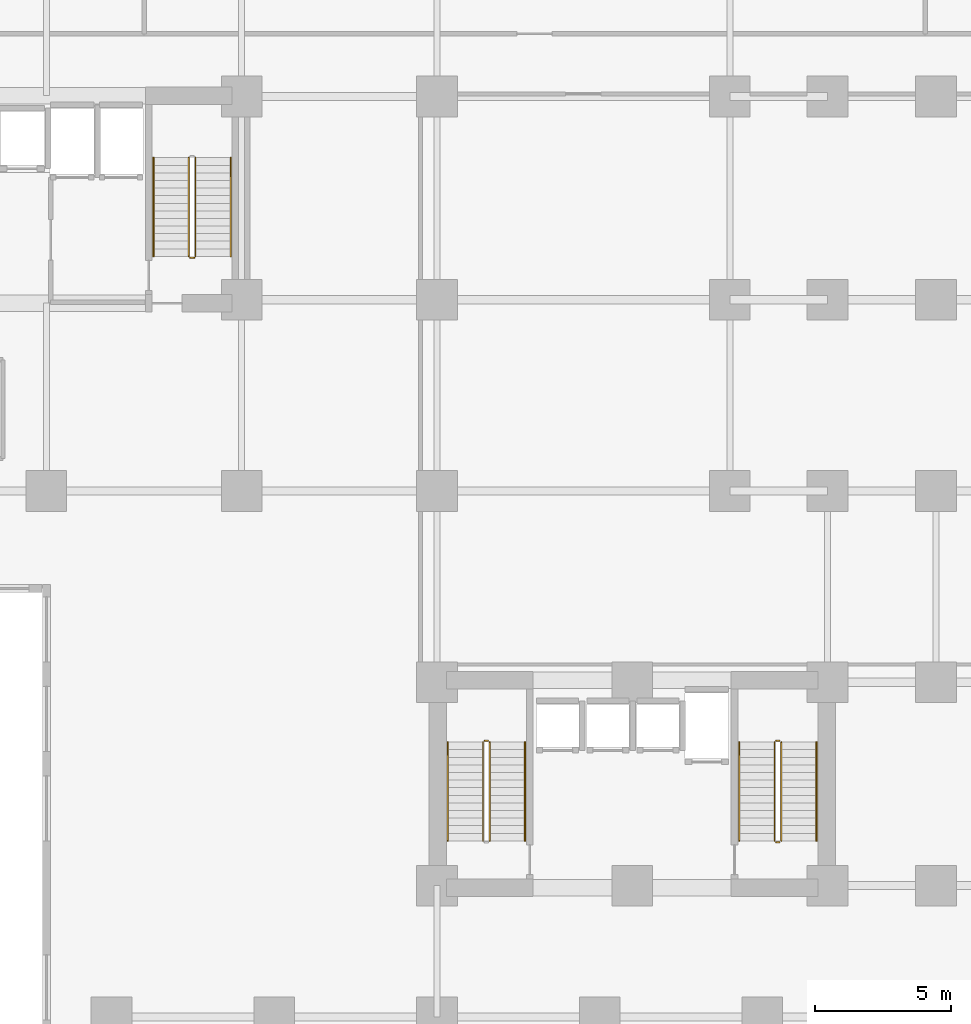
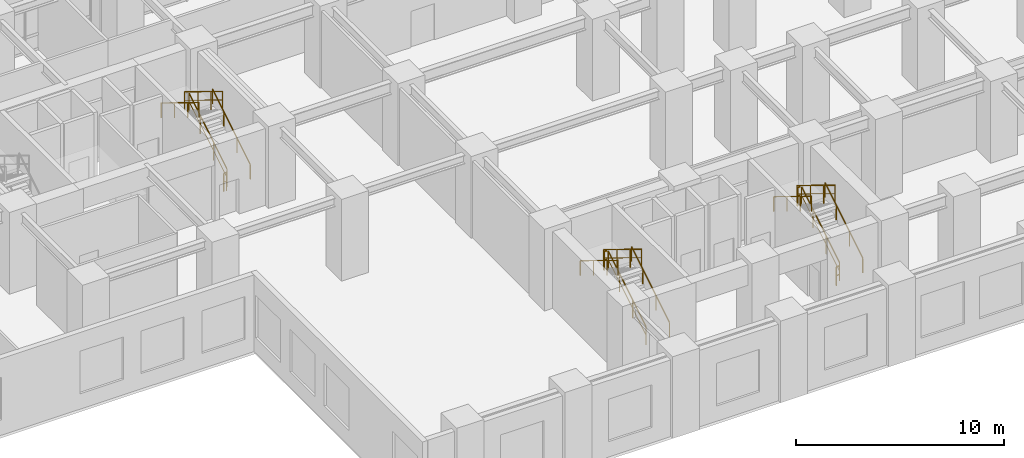
# One storey, part 21 of 22: 16 railings.
"""IFC4 building model written with IfcOpenShell, lengths in metres."""

from ifc_helpers import new_model, si_unit, direction, frame, origin, origin_2d, place, context, subcontext, project, spatial, rectangle, extrude, material, type_object, element, save


model = new_model("IFC4")

# Units and contexts
model_context = context("Model", 3, precision=1e-05, world=origin(), true_north=direction((0.0, 1.0)))
body_context = subcontext(model_context, "Body", "Model", "MODEL_VIEW")
ifc_project = project(units=[si_unit("LENGTHUNIT", "METRE"), si_unit("AREAUNIT", "SQUARE_METRE"), si_unit("VOLUMEUNIT", "CUBIC_METRE"), si_unit("PLANEANGLEUNIT", "RADIAN"), si_unit("MASSUNIT", "GRAM", prefix="KILO")], contexts=[model_context])

# Site, building, storey
site_placement = place(None, origin())
site = spatial("IfcSite", under=ifc_project, at=site_placement, CompositionType="ELEMENT")
building_placement = place(site_placement, origin())
building = spatial("IfcBuilding", under=site, at=building_placement, Name="Kaliganga Portal Commons", CompositionType="ELEMENT")
storey_placement = place(building_placement, frame((0.0, 0.0, 5.39990234375)))
storey = spatial("IfcBuildingStorey", under=building, at=storey_placement, Name="L01", CompositionType="ELEMENT", Elevation=5.39990234375)

# Railings
ifc_material_1 = material(Name="Galvanized Painted Steel Balustrade", Category="steel")
railing_type_1 = type_object("IfcRailingType", Name="RLG-STAIR-GRD", PredefinedType="GUARDRAIL", material=ifc_material_1)
railing_1_placement = place(storey_placement, frame((27.10009765625, 30.25, 0.171630859375)))
element("IfcRailing", 1, at=railing_1_placement, inside=storey, type_object=railing_type_1, Name="L01 ST-A2 stair guard 1", PredefinedType="GUARDRAIL", context=body_context, shape_type="SweptSolid", body=[
    extrude(rectangle(XDim=0.048095703125, YDim=0.048095703125, at=origin_2d()), frame((0.0, 0.0, 1.072021484375), z_axis=(0.0, 0.852850264322, 0.5221555579), x_axis=(-1.0, 0.0, 0.0)), (0.0, 0.0, 1.0), 4.267822265625),
    extrude(rectangle(XDim=0.028076171875, YDim=0.028076171875, at=origin_2d()), frame((0.0, 0.0, 0.572021484375), z_axis=(0.0, 0.852850264322, 0.5221555579), x_axis=(-1.0, 0.0, 0.0)), (0.0, 0.0, 1.0), 4.267822265625),
    extrude(rectangle(XDim=0.0419921875, YDim=0.0419921875, at=origin_2d()), origin(), (0.0, 0.0, 1.0), 1.052001953125),
    extrude(rectangle(XDim=0.0419921875, YDim=0.0419921875, at=origin_2d()), frame((0.0, 1.279296875, 0.783203125)), (0.0, 0.0, 1.0), 1.052001953125),
    extrude(rectangle(XDim=0.0419921875, YDim=0.0419921875, at=origin_2d()), frame((0.0, 2.55859375, 1.56640625)), (0.0, 0.0, 1.0), 1.052001953125),
    extrude(rectangle(XDim=0.0419921875, YDim=0.0419921875, at=origin_2d()), frame((0.0, 3.639892578125, 2.228515625)), (0.0, 0.0, 1.0), 1.052001953125),
])
railing_2_placement = place(storey_placement, frame((26.85009765625, 33.889892578125, 2.571533203125)))
element("IfcRailing", 2, at=railing_2_placement, inside=storey, type_object=railing_type_1, Name="L01 ST-A2 stair guard 3", PredefinedType="GUARDRAIL", context=body_context, shape_type="SweptSolid", body=[
    extrude(rectangle(XDim=0.048095703125, YDim=0.048095703125, at=origin_2d()), frame((0.0, 0.0, 1.072021484375), z_axis=(0.0, -0.852850264322, 0.5221555579), x_axis=(1.0, 0.0, 0.0)), (0.0, 0.0, 1.0), 4.267822265625),
    extrude(rectangle(XDim=0.028076171875, YDim=0.028076171875, at=origin_2d()), frame((0.0, 0.0, 0.572021484375), z_axis=(0.0, -0.852850264322, 0.5221555579), x_axis=(1.0, 0.0, 0.0)), (0.0, 0.0, 1.0), 4.267822265625),
    extrude(rectangle(XDim=0.0419921875, YDim=0.0419921875, at=origin_2d()), origin(), (0.0, 0.0, 1.0), 1.052001953125),
    extrude(rectangle(XDim=0.0419921875, YDim=0.0419921875, at=origin_2d()), frame((0.0, -1.279296875, 0.783203125)), (0.0, 0.0, 1.0), 1.052001953125),
    extrude(rectangle(XDim=0.0419921875, YDim=0.0419921875, at=origin_2d()), frame((0.0, -2.55859375, 1.56640625)), (0.0, 0.0, 1.0), 1.052001953125),
    extrude(rectangle(XDim=0.0419921875, YDim=0.0419921875, at=origin_2d()), frame((0.0, -3.639892578125, 2.228515625)), (0.0, 0.0, 1.0), 1.052001953125),
])
railing_3_placement = place(storey_placement, frame((27.050048828125, 30.199951171875, 0.0)))
element("IfcRailing", 3, at=railing_3_placement, inside=storey, type_object=railing_type_1, Name="L01 ST-A2 stair guard 4", PredefinedType="GUARDRAIL", context=body_context, shape_type="SweptSolid", body=[
    extrude(rectangle(XDim=0.048095703125, YDim=0.048095703125, at=origin_2d()), frame((0.0, 0.0, 1.076171875), z_axis=(-1.0, 0.0, 0.0), x_axis=(0.0, -1.0, 0.0)), (0.0, 0.0, 1.0), 0.150146484375),
    extrude(rectangle(XDim=0.028076171875, YDim=0.028076171875, at=origin_2d()), frame((0.0, 0.0, 0.572021484375), z_axis=(-1.0, 0.0, 0.0), x_axis=(0.0, -1.0, 0.0)), (0.0, 0.0, 1.0), 0.150146484375),
    extrude(rectangle(XDim=0.0419921875, YDim=0.0419921875, at=origin_2d()), origin(), (0.0, 0.0, 1.0), 1.052001953125),
    extrude(rectangle(XDim=0.0419921875, YDim=0.0419921875, at=origin_2d()), frame((-0.150146484375, 0.0, 0.0)), (0.0, 0.0, 1.0), 1.052001953125),
])
railing_4_placement = place(storey_placement, frame((37.949951171875, 8.699951171875, 0.171630859375)))
element("IfcRailing", 4, at=railing_4_placement, inside=storey, type_object=railing_type_1, Name="L01 ST-B1 stair guard 1", PredefinedType="GUARDRAIL", context=body_context, shape_type="SweptSolid", body=[
    extrude(rectangle(XDim=0.048095703125, YDim=0.048095703125, at=origin_2d()), frame((0.0, 0.0, 1.072021484375), z_axis=(0.0, 0.852865859571, 0.52213008492), x_axis=(-1.0, 0.0, 0.0)), (0.0, 0.0, 1.0), 4.26806640625),
    extrude(rectangle(XDim=0.028076171875, YDim=0.028076171875, at=origin_2d()), frame((0.0, 0.0, 0.572021484375), z_axis=(0.0, 0.852865859571, 0.52213008492), x_axis=(-1.0, 0.0, 0.0)), (0.0, 0.0, 1.0), 4.26806640625),
    extrude(rectangle(XDim=0.0419921875, YDim=0.0419921875, at=origin_2d()), origin(), (0.0, 0.0, 1.0), 1.052001953125),
    extrude(rectangle(XDim=0.0419921875, YDim=0.0419921875, at=origin_2d()), frame((0.0, 1.279296875, 0.783203125)), (0.0, 0.0, 1.0), 1.052001953125),
    extrude(rectangle(XDim=0.0419921875, YDim=0.0419921875, at=origin_2d()), frame((0.0, 2.55859375, 1.56640625)), (0.0, 0.0, 1.0), 1.052001953125),
    extrude(rectangle(XDim=0.0419921875, YDim=0.0419921875, at=origin_2d()), frame((0.0, 3.64013671875, 2.228515625)), (0.0, 0.0, 1.0), 1.052001953125),
])
railing_5_placement = place(storey_placement, frame((37.89990234375, 12.389892578125, 2.400146484375)))
element("IfcRailing", 5, at=railing_5_placement, inside=storey, type_object=railing_type_1, Name="L01 ST-B1 stair guard 2", PredefinedType="GUARDRAIL", context=body_context, shape_type="SweptSolid", body=[
    extrude(rectangle(XDim=0.048095703125, YDim=0.048095703125, at=origin_2d()), frame((0.0, 0.0, 1.076171875), z_axis=(-1.0, 0.0, 0.0), x_axis=(0.0, -1.0, 0.0)), (0.0, 0.0, 1.0), 0.14990234375),
    extrude(rectangle(XDim=0.028076171875, YDim=0.028076171875, at=origin_2d()), frame((0.0, 0.0, 0.572021484375), z_axis=(-1.0, 0.0, 0.0), x_axis=(0.0, -1.0, 0.0)), (0.0, 0.0, 1.0), 0.14990234375),
    extrude(rectangle(XDim=0.0419921875, YDim=0.0419921875, at=origin_2d()), frame((-0.14990234375, 0.0, 0.0)), (0.0, 0.0, 1.0), 1.052001953125),
])
railing_6_placement = place(storey_placement, frame((37.699951171875, 12.340087890625, 2.571533203125)))
element("IfcRailing", 6, at=railing_6_placement, inside=storey, type_object=railing_type_1, Name="L01 ST-B1 stair guard 3", PredefinedType="GUARDRAIL", context=body_context, shape_type="SweptSolid", body=[
    extrude(rectangle(XDim=0.048095703125, YDim=0.048095703125, at=origin_2d()), frame((0.0, 0.0, 1.072021484375), z_axis=(0.0, -0.852865859571, 0.52213008492), x_axis=(1.0, 0.0, 0.0)), (0.0, 0.0, 1.0), 4.26806640625),
    extrude(rectangle(XDim=0.028076171875, YDim=0.028076171875, at=origin_2d()), frame((0.0, 0.0, 0.572021484375), z_axis=(0.0, -0.852865859571, 0.52213008492), x_axis=(1.0, 0.0, 0.0)), (0.0, 0.0, 1.0), 4.26806640625),
    extrude(rectangle(XDim=0.0419921875, YDim=0.0419921875, at=origin_2d()), origin(), (0.0, 0.0, 1.0), 1.052001953125),
    extrude(rectangle(XDim=0.0419921875, YDim=0.0419921875, at=origin_2d()), frame((0.0, -1.279296875, 0.783203125)), (0.0, 0.0, 1.0), 1.052001953125),
    extrude(rectangle(XDim=0.0419921875, YDim=0.0419921875, at=origin_2d()), frame((0.0, -2.55859375, 1.56640625)), (0.0, 0.0, 1.0), 1.052001953125),
    extrude(rectangle(XDim=0.0419921875, YDim=0.0419921875, at=origin_2d()), frame((0.0, -3.64013671875, 2.228515625)), (0.0, 0.0, 1.0), 1.052001953125),
])
railing_7_placement = place(storey_placement, frame((48.699951171875, 8.699951171875, 0.171630859375)))
element("IfcRailing", 7, at=railing_7_placement, inside=storey, type_object=railing_type_1, Name="L01 ST-B2 stair guard 1", PredefinedType="GUARDRAIL", context=body_context, shape_type="SweptSolid", body=[
    extrude(rectangle(XDim=0.048095703125, YDim=0.048095703125, at=origin_2d()), frame((0.0, 0.0, 1.072021484375), z_axis=(0.0, 0.852865859571, 0.52213008492), x_axis=(-1.0, 0.0, 0.0)), (0.0, 0.0, 1.0), 4.26806640625),
    extrude(rectangle(XDim=0.028076171875, YDim=0.028076171875, at=origin_2d()), frame((0.0, 0.0, 0.572021484375), z_axis=(0.0, 0.852865859571, 0.52213008492), x_axis=(-1.0, 0.0, 0.0)), (0.0, 0.0, 1.0), 4.26806640625),
    extrude(rectangle(XDim=0.0419921875, YDim=0.0419921875, at=origin_2d()), origin(), (0.0, 0.0, 1.0), 1.052001953125),
    extrude(rectangle(XDim=0.0419921875, YDim=0.0419921875, at=origin_2d()), frame((0.0, 1.279296875, 0.783203125)), (0.0, 0.0, 1.0), 1.052001953125),
    extrude(rectangle(XDim=0.0419921875, YDim=0.0419921875, at=origin_2d()), frame((0.0, 2.55859375, 1.56640625)), (0.0, 0.0, 1.0), 1.052001953125),
    extrude(rectangle(XDim=0.0419921875, YDim=0.0419921875, at=origin_2d()), frame((0.0, 3.64013671875, 2.228515625)), (0.0, 0.0, 1.0), 1.052001953125),
])
railing_8_placement = place(storey_placement, frame((48.64990234375, 12.389892578125, 2.400146484375)))
element("IfcRailing", 8, at=railing_8_placement, inside=storey, type_object=railing_type_1, Name="L01 ST-B2 stair guard 2", PredefinedType="GUARDRAIL", context=body_context, shape_type="SweptSolid", body=[
    extrude(rectangle(XDim=0.048095703125, YDim=0.048095703125, at=origin_2d()), frame((0.0, 0.0, 1.076171875), z_axis=(-1.0, 0.0, 0.0), x_axis=(0.0, -1.0, 0.0)), (0.0, 0.0, 1.0), 0.14990234375),
    extrude(rectangle(XDim=0.028076171875, YDim=0.028076171875, at=origin_2d()), frame((0.0, 0.0, 0.572021484375), z_axis=(-1.0, 0.0, 0.0), x_axis=(0.0, -1.0, 0.0)), (0.0, 0.0, 1.0), 0.14990234375),
    extrude(rectangle(XDim=0.0419921875, YDim=0.0419921875, at=origin_2d()), frame((-0.14990234375, 0.0, 0.0)), (0.0, 0.0, 1.0), 1.052001953125),
])
railing_9_placement = place(storey_placement, frame((48.449951171875, 12.340087890625, 2.571533203125)))
element("IfcRailing", 9, at=railing_9_placement, inside=storey, type_object=railing_type_1, Name="L01 ST-B2 stair guard 3", PredefinedType="GUARDRAIL", context=body_context, shape_type="SweptSolid", body=[
    extrude(rectangle(XDim=0.048095703125, YDim=0.048095703125, at=origin_2d()), frame((0.0, 0.0, 1.072021484375), z_axis=(0.0, -0.852865859571, 0.52213008492), x_axis=(1.0, 0.0, 0.0)), (0.0, 0.0, 1.0), 4.26806640625),
    extrude(rectangle(XDim=0.028076171875, YDim=0.028076171875, at=origin_2d()), frame((0.0, 0.0, 0.572021484375), z_axis=(0.0, -0.852865859571, 0.52213008492), x_axis=(1.0, 0.0, 0.0)), (0.0, 0.0, 1.0), 4.26806640625),
    extrude(rectangle(XDim=0.0419921875, YDim=0.0419921875, at=origin_2d()), origin(), (0.0, 0.0, 1.0), 1.052001953125),
    extrude(rectangle(XDim=0.0419921875, YDim=0.0419921875, at=origin_2d()), frame((0.0, -1.279296875, 0.783203125)), (0.0, 0.0, 1.0), 1.052001953125),
    extrude(rectangle(XDim=0.0419921875, YDim=0.0419921875, at=origin_2d()), frame((0.0, -2.55859375, 1.56640625)), (0.0, 0.0, 1.0), 1.052001953125),
    extrude(rectangle(XDim=0.0419921875, YDim=0.0419921875, at=origin_2d()), frame((0.0, -3.64013671875, 2.228515625)), (0.0, 0.0, 1.0), 1.052001953125),
])
railing_10_placement = place(storey_placement, frame((48.64990234375, 8.64990234375, 0.0)))
element("IfcRailing", 10, at=railing_10_placement, inside=storey, type_object=railing_type_1, Name="L01 ST-B2 stair guard 4", PredefinedType="GUARDRAIL", context=body_context, shape_type="SweptSolid", body=[
    extrude(rectangle(XDim=0.048095703125, YDim=0.048095703125, at=origin_2d()), frame((0.0, 0.0, 1.076171875), z_axis=(-1.0, 0.0, 0.0), x_axis=(0.0, -1.0, 0.0)), (0.0, 0.0, 1.0), 0.14990234375),
    extrude(rectangle(XDim=0.028076171875, YDim=0.028076171875, at=origin_2d()), frame((0.0, 0.0, 0.572021484375), z_axis=(-1.0, 0.0, 0.0), x_axis=(0.0, -1.0, 0.0)), (0.0, 0.0, 1.0), 0.14990234375),
    extrude(rectangle(XDim=0.0419921875, YDim=0.0419921875, at=origin_2d()), frame((-0.14990234375, 0.0, 0.0)), (0.0, 0.0, 1.0), 1.052001953125),
])
ifc_material_2 = material(Name="Brushed Stainless Steel 316", Category="steel")
railing_type_2 = type_object("IfcRailingType", Name="RLG-STAIR-HR", PredefinedType="HANDRAIL", material=ifc_material_2)
railing_11_placement = place(storey_placement, frame((28.39990234375, 30.25, 0.171630859375)))
element("IfcRailing", 11, at=railing_11_placement, inside=storey, type_object=railing_type_2, Name="L01 ST-A2 stair handrail 1", PredefinedType="HANDRAIL", context=body_context, shape_type="SweptSolid", body=[
    extrude(rectangle(XDim=0.048095703125, YDim=0.048095703125, at=origin_2d()), frame((0.0, 0.0, 0.871826171875), z_axis=(0.0, 0.852850264322, 0.5221555579), x_axis=(-1.0, 0.0, 0.0)), (0.0, 0.0, 1.0), 4.267822265625),
    extrude(rectangle(XDim=0.0419921875, YDim=0.0419921875, at=origin_2d()), origin(), (0.0, 0.0, 1.0), 0.851806640625),
    extrude(rectangle(XDim=0.0419921875, YDim=0.0419921875, at=origin_2d()), frame((0.0, 1.279296875, 0.783203125)), (0.0, 0.0, 1.0), 0.851806640625),
    extrude(rectangle(XDim=0.0419921875, YDim=0.0419921875, at=origin_2d()), frame((0.0, 2.55859375, 1.56640625)), (0.0, 0.0, 1.0), 0.851806640625),
    extrude(rectangle(XDim=0.0419921875, YDim=0.0419921875, at=origin_2d()), frame((0.0, 3.639892578125, 2.228515625)), (0.0, 0.0, 1.0), 0.851806640625),
])
railing_12_placement = place(storey_placement, frame((25.550048828125, 33.889892578125, 2.571533203125)))
element("IfcRailing", 12, at=railing_12_placement, inside=storey, type_object=railing_type_2, Name="L01 ST-A2 stair handrail 2", PredefinedType="HANDRAIL", context=body_context, shape_type="SweptSolid", body=[
    extrude(rectangle(XDim=0.048095703125, YDim=0.048095703125, at=origin_2d()), frame((0.0, 0.0, 0.871826171875), z_axis=(0.0, -0.852850264322, 0.5221555579), x_axis=(1.0, 0.0, 0.0)), (0.0, 0.0, 1.0), 4.267822265625),
    extrude(rectangle(XDim=0.0419921875, YDim=0.0419921875, at=origin_2d()), origin(), (0.0, 0.0, 1.0), 0.851806640625),
    extrude(rectangle(XDim=0.0419921875, YDim=0.0419921875, at=origin_2d()), frame((0.0, -1.279296875, 0.783203125)), (0.0, 0.0, 1.0), 0.851806640625),
    extrude(rectangle(XDim=0.0419921875, YDim=0.0419921875, at=origin_2d()), frame((0.0, -2.55859375, 1.56640625)), (0.0, 0.0, 1.0), 0.851806640625),
    extrude(rectangle(XDim=0.0419921875, YDim=0.0419921875, at=origin_2d()), frame((0.0, -3.639892578125, 2.228515625)), (0.0, 0.0, 1.0), 0.851806640625),
])
railing_13_placement = place(storey_placement, frame((39.25, 8.699951171875, 0.171630859375)))
element("IfcRailing", 13, at=railing_13_placement, inside=storey, type_object=railing_type_2, Name="L01 ST-B1 stair handrail 1", PredefinedType="HANDRAIL", context=body_context, shape_type="SweptSolid", body=[
    extrude(rectangle(XDim=0.048095703125, YDim=0.048095703125, at=origin_2d()), frame((0.0, 0.0, 0.871826171875), z_axis=(0.0, 0.852865859571, 0.52213008492), x_axis=(-1.0, 0.0, 0.0)), (0.0, 0.0, 1.0), 4.26806640625),
    extrude(rectangle(XDim=0.0419921875, YDim=0.0419921875, at=origin_2d()), origin(), (0.0, 0.0, 1.0), 0.851806640625),
    extrude(rectangle(XDim=0.0419921875, YDim=0.0419921875, at=origin_2d()), frame((0.0, 1.279296875, 0.783203125)), (0.0, 0.0, 1.0), 0.851806640625),
    extrude(rectangle(XDim=0.0419921875, YDim=0.0419921875, at=origin_2d()), frame((0.0, 2.55859375, 1.56640625)), (0.0, 0.0, 1.0), 0.851806640625),
    extrude(rectangle(XDim=0.0419921875, YDim=0.0419921875, at=origin_2d()), frame((0.0, 3.64013671875, 2.228515625)), (0.0, 0.0, 1.0), 0.851806640625),
])
railing_14_placement = place(storey_placement, frame((36.39990234375, 12.340087890625, 2.571533203125)))
element("IfcRailing", 14, at=railing_14_placement, inside=storey, type_object=railing_type_2, Name="L01 ST-B1 stair handrail 2", PredefinedType="HANDRAIL", context=body_context, shape_type="SweptSolid", body=[
    extrude(rectangle(XDim=0.048095703125, YDim=0.048095703125, at=origin_2d()), frame((0.0, 0.0, 0.871826171875), z_axis=(0.0, -0.852865859571, 0.52213008492), x_axis=(1.0, 0.0, 0.0)), (0.0, 0.0, 1.0), 4.26806640625),
    extrude(rectangle(XDim=0.0419921875, YDim=0.0419921875, at=origin_2d()), origin(), (0.0, 0.0, 1.0), 0.851806640625),
    extrude(rectangle(XDim=0.0419921875, YDim=0.0419921875, at=origin_2d()), frame((0.0, -1.279296875, 0.783203125)), (0.0, 0.0, 1.0), 0.851806640625),
    extrude(rectangle(XDim=0.0419921875, YDim=0.0419921875, at=origin_2d()), frame((0.0, -2.55859375, 1.56640625)), (0.0, 0.0, 1.0), 0.851806640625),
    extrude(rectangle(XDim=0.0419921875, YDim=0.0419921875, at=origin_2d()), frame((0.0, -3.64013671875, 2.228515625)), (0.0, 0.0, 1.0), 0.851806640625),
])
railing_15_placement = place(storey_placement, frame((50.0, 8.699951171875, 0.171630859375)))
element("IfcRailing", 15, at=railing_15_placement, inside=storey, type_object=railing_type_2, Name="L01 ST-B2 stair handrail 1", PredefinedType="HANDRAIL", context=body_context, shape_type="SweptSolid", body=[
    extrude(rectangle(XDim=0.048095703125, YDim=0.048095703125, at=origin_2d()), frame((0.0, 0.0, 0.871826171875), z_axis=(0.0, 0.852865859571, 0.52213008492), x_axis=(-1.0, 0.0, 0.0)), (0.0, 0.0, 1.0), 4.26806640625),
    extrude(rectangle(XDim=0.0419921875, YDim=0.0419921875, at=origin_2d()), origin(), (0.0, 0.0, 1.0), 0.851806640625),
    extrude(rectangle(XDim=0.0419921875, YDim=0.0419921875, at=origin_2d()), frame((0.0, 1.279296875, 0.783203125)), (0.0, 0.0, 1.0), 0.851806640625),
    extrude(rectangle(XDim=0.0419921875, YDim=0.0419921875, at=origin_2d()), frame((0.0, 2.55859375, 1.56640625)), (0.0, 0.0, 1.0), 0.851806640625),
    extrude(rectangle(XDim=0.0419921875, YDim=0.0419921875, at=origin_2d()), frame((0.0, 3.64013671875, 2.228515625)), (0.0, 0.0, 1.0), 0.851806640625),
])
railing_16_placement = place(storey_placement, frame((47.14990234375, 12.340087890625, 2.571533203125)))
element("IfcRailing", 16, at=railing_16_placement, inside=storey, type_object=railing_type_2, Name="L01 ST-B2 stair handrail 2", PredefinedType="HANDRAIL", context=body_context, shape_type="SweptSolid", body=[
    extrude(rectangle(XDim=0.048095703125, YDim=0.048095703125, at=origin_2d()), frame((0.0, 0.0, 0.871826171875), z_axis=(0.0, -0.852865859571, 0.52213008492), x_axis=(1.0, 0.0, 0.0)), (0.0, 0.0, 1.0), 4.26806640625),
    extrude(rectangle(XDim=0.0419921875, YDim=0.0419921875, at=origin_2d()), origin(), (0.0, 0.0, 1.0), 0.851806640625),
    extrude(rectangle(XDim=0.0419921875, YDim=0.0419921875, at=origin_2d()), frame((0.0, -1.279296875, 0.783203125)), (0.0, 0.0, 1.0), 0.851806640625),
    extrude(rectangle(XDim=0.0419921875, YDim=0.0419921875, at=origin_2d()), frame((0.0, -2.55859375, 1.56640625)), (0.0, 0.0, 1.0), 0.851806640625),
    extrude(rectangle(XDim=0.0419921875, YDim=0.0419921875, at=origin_2d()), frame((0.0, -3.64013671875, 2.228515625)), (0.0, 0.0, 1.0), 0.851806640625),
])

save(model, "model.ifc")
